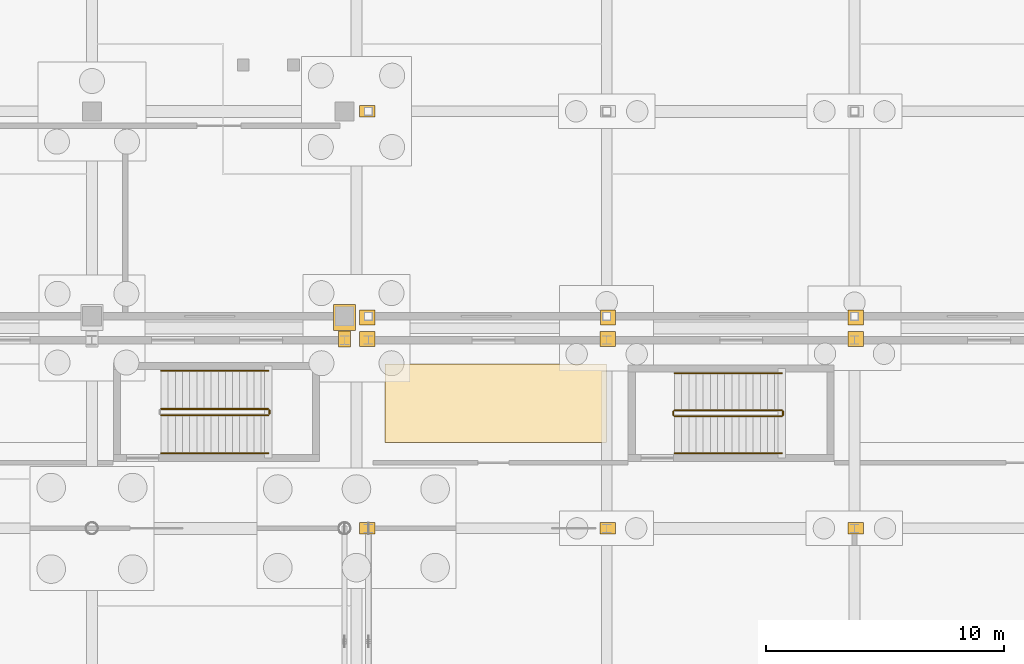
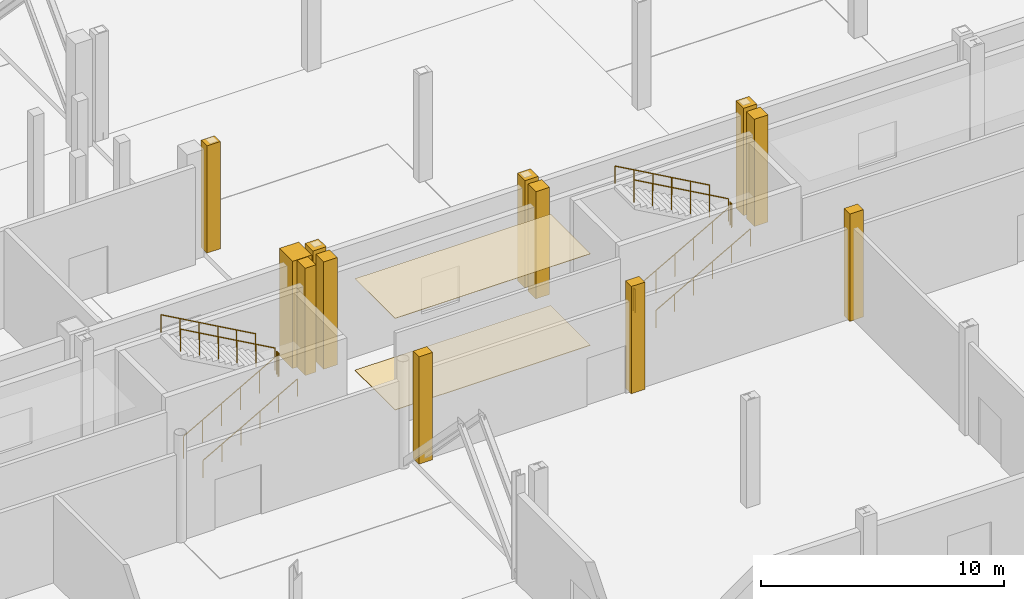
# One storey, part 81 of 83: 14 coverings, 11 railings.
"""IFC4 building model written with IfcOpenShell, lengths in metres."""

from ifc_helpers import new_model, si_unit, direction, frame, origin, origin_2d, place, context, subcontext, project, spatial, polyline, rectangle, circle, outline, extrude, material, layer, layer_set, type_object, element, save


model = new_model("IFC4")

# Units and contexts
model_context = context("Model", 3, precision=1e-05, world=origin(), true_north=direction((0.0, 1.0)))
body_context = subcontext(model_context, "Body", "Model", "MODEL_VIEW")
ifc_project = project(units=[si_unit("LENGTHUNIT", "METRE"), si_unit("AREAUNIT", "SQUARE_METRE"), si_unit("VOLUMEUNIT", "CUBIC_METRE"), si_unit("PLANEANGLEUNIT", "RADIAN"), si_unit("MASSUNIT", "GRAM", prefix="KILO")], contexts=[model_context])

# Site, building, storey
site_placement = place(None, origin())
site = spatial("IfcSite", under=ifc_project, at=site_placement, CompositionType="ELEMENT")
building_placement = place(site_placement, origin())
building = spatial("IfcBuilding", under=site, at=building_placement, Name="Caurita Quay Ferry Terminal", CompositionType="ELEMENT")
storey_placement = place(building_placement, origin())
storey = spatial("IfcBuildingStorey", under=building, at=storey_placement, Name="L00", CompositionType="ELEMENT", Elevation=0.0)

# Coverings
ifc_material_1 = material(Name="Acoustic mineral fibre tile", Category="finish")
ifc_layer_1 = layer(ifc_material_1, 0.02001953125, Name="Acoustic mineral-fibre suspended ceiling 20 mm")
ifc_layer_set_1 = layer_set([ifc_layer_1], Name="Acoustic mineral fibre tile")
covering_type_1 = type_object("IfcCoveringType", Name="COV-CEIL-020", PredefinedType="CEILING", material=ifc_layer_set_1)
covering_1_placement = place(storey_placement, frame((0.0, 0.0, 4.6083984375)))
element("IfcCovering", 1, at=covering_1_placement, inside=storey, type_object=covering_type_1, Name="Lifejacket and Mooring Gear Store Acoustic Ceiling", PredefinedType="CEILING", context=body_context, shape_type="SweptSolid", body=[
    extrude(outline(polyline([(133.5, 66.300048828125), (142.800048828125, 66.300048828125), (142.800048828125, 69.60009765625), (133.5, 69.60009765625), (133.5, 66.300048828125)])), origin(), (0.0, 0.0, 1.0), 0.02001953125),
])
ifc_material_2 = material(Name="Polished marine terrazzo tile", Category="finish")
ifc_layer_2 = layer(ifc_material_2, 0.02490234375, Name="Polished marine terrazzo floor finish 25 mm")
ifc_layer_set_2 = layer_set([ifc_layer_2], Name="Polished marine terrazzo tile")
covering_type_2 = type_object("IfcCoveringType", Name="COV-FLR-025", PredefinedType="FLOORING", material=ifc_layer_set_2)
covering_2_placement = place(storey_placement, origin())
element("IfcCovering", 2, at=covering_2_placement, inside=storey, type_object=covering_type_2, Name="Lifejacket and Mooring Gear Store Terrazzo Flooring", PredefinedType="FLOORING", context=body_context, shape_type="SweptSolid", body=[
    extrude(outline(polyline([(133.5, 66.300048828125), (142.800048828125, 66.300048828125), (142.800048828125, 69.60009765625), (133.5, 69.60009765625), (133.5, 66.300048828125)])), origin(), (0.0, 0.0, 1.0), 0.02490234375),
])
ifc_material_3 = material(Name="Warm-white lime stucco masonry", Category="masonry")
ifc_layer_3 = layer(ifc_material_3, 0.179931640625, Name="Classical engaged lime-stucco facade pilaster cladding 180 mm")
ifc_layer_set_3 = layer_set([ifc_layer_3], Name="Warm-white lime stucco masonry")
covering_type_3 = type_object("IfcCoveringType", Name="COV-PIL-CLD", PredefinedType="CLADDING", material=ifc_layer_set_3)
covering_3_placement = place(storey_placement, frame((131.800048828125, 70.64990234375, 0.0), z_axis=(0.0, 0.0, 1.0), x_axis=(1.0, 0.0, 0.0)))
element("IfcCovering", 3, at=covering_3_placement, inside=storey, type_object=covering_type_3, Name="L00 Classical Engaged Pilaster 0114", PredefinedType="CLADDING", context=body_context, shape_type="SweptSolid", body=[
    extrude(rectangle(XDim=0.518798828125, YDim=0.673583984375, at=origin_2d()), origin(), (0.0, 0.0, 1.0), 5.39990234375),
])
covering_4_placement = place(storey_placement, frame((132.75, 62.699951171875, 0.0), z_axis=(0.0, 0.0, 1.0), x_axis=(1.0, 0.0, 0.0)))
element("IfcCovering", 4, at=covering_4_placement, inside=storey, type_object=covering_type_3, Name="L00 Classical Engaged Pilaster 0123", PredefinedType="CLADDING", context=body_context, shape_type="SweptSolid", body=[
    extrude(rectangle(XDim=0.65087890625, YDim=0.483154296875, at=origin_2d()), origin(), (0.0, 0.0, 1.0), 5.39990234375),
])
covering_5_placement = place(storey_placement, frame((132.75, 70.64990234375, 0.0), z_axis=(0.0, 0.0, 1.0), x_axis=(1.0, 0.0, 0.0)))
element("IfcCovering", 5, at=covering_5_placement, inside=storey, type_object=covering_type_3, Name="L00 Classical Engaged Pilaster 0125", PredefinedType="CLADDING", context=body_context, shape_type="SweptSolid", body=[
    extrude(rectangle(XDim=0.65087890625, YDim=0.643310546875, at=origin_2d()), origin(), (0.0, 0.0, 1.0), 5.39990234375),
])
covering_6_placement = place(storey_placement, frame((142.85009765625, 62.699951171875, 0.0), z_axis=(0.0, 0.0, 1.0), x_axis=(1.0, 0.0, 0.0)))
element("IfcCovering", 6, at=covering_6_placement, inside=storey, type_object=covering_type_3, Name="L00 Classical Engaged Pilaster 0142", PredefinedType="CLADDING", context=body_context, shape_type="SweptSolid", body=[
    extrude(rectangle(XDim=0.65087890625, YDim=0.483154296875, at=origin_2d()), origin(), (0.0, 0.0, 1.0), 5.39990234375),
])
covering_7_placement = place(storey_placement, frame((142.85009765625, 70.64990234375, 0.0), z_axis=(0.0, 0.0, 1.0), x_axis=(1.0, 0.0, 0.0)))
element("IfcCovering", 7, at=covering_7_placement, inside=storey, type_object=covering_type_3, Name="L00 Classical Engaged Pilaster 0144", PredefinedType="CLADDING", context=body_context, shape_type="SweptSolid", body=[
    extrude(rectangle(XDim=0.65087890625, YDim=0.643310546875, at=origin_2d()), origin(), (0.0, 0.0, 1.0), 5.39990234375),
])
covering_8_placement = place(storey_placement, frame((153.25, 62.699951171875, 0.0), z_axis=(0.0, 0.0, 1.0), x_axis=(1.0, 0.0, 0.0)))
element("IfcCovering", 8, at=covering_8_placement, inside=storey, type_object=covering_type_3, Name="L00 Classical Engaged Pilaster 0161", PredefinedType="CLADDING", context=body_context, shape_type="SweptSolid", body=[
    extrude(rectangle(XDim=0.65087890625, YDim=0.483154296875, at=origin_2d()), origin(), (0.0, 0.0, 1.0), 5.39990234375),
])
covering_9_placement = place(storey_placement, frame((153.25, 70.64990234375, 0.0), z_axis=(0.0, 0.0, 1.0), x_axis=(1.0, 0.0, 0.0)))
element("IfcCovering", 9, at=covering_9_placement, inside=storey, type_object=covering_type_3, Name="L00 Classical Engaged Pilaster 0163", PredefinedType="CLADDING", context=body_context, shape_type="SweptSolid", body=[
    extrude(rectangle(XDim=0.65087890625, YDim=0.643310546875, at=origin_2d()), origin(), (0.0, 0.0, 1.0), 5.39990234375),
])
covering_10_placement = place(storey_placement, frame((131.800048828125, 71.550048828125, 0.0), z_axis=(0.0, 0.0, 1.0), x_axis=(1.0, 0.0, 0.0)))
element("IfcCovering", 10, at=covering_10_placement, inside=storey, type_object=covering_type_3, Name="L00 Classical Engaged Pilaster 0228", PredefinedType="CLADDING", context=body_context, shape_type="SweptSolid", body=[
    extrude(rectangle(XDim=0.919921875, YDim=1.080078125, at=origin_2d()), origin(), (0.0, 0.0, 1.0), 5.39990234375),
])
covering_11_placement = place(storey_placement, frame((132.75, 71.550048828125, 0.0), z_axis=(0.0, 0.0, 1.0), x_axis=(1.0, 0.0, 0.0)))
element("IfcCovering", 11, at=covering_11_placement, inside=storey, type_object=covering_type_3, Name="L00 Classical Engaged Pilaster 0236", PredefinedType="CLADDING", context=body_context, shape_type="SweptSolid", body=[
    extrude(rectangle(XDim=0.635986328125, YDim=0.635986328125, at=origin_2d()), origin(), (0.0, 0.0, 1.0), 5.39990234375),
])
covering_12_placement = place(storey_placement, frame((132.75, 80.199951171875, 0.0), z_axis=(0.0, 0.0, 1.0), x_axis=(1.0, 0.0, 0.0)))
element("IfcCovering", 12, at=covering_12_placement, inside=storey, type_object=covering_type_3, Name="L00 Classical Engaged Pilaster 0237", PredefinedType="CLADDING", context=body_context, shape_type="SweptSolid", body=[
    extrude(rectangle(XDim=0.635986328125, YDim=0.47607421875, at=origin_2d()), origin(), (0.0, 0.0, 1.0), 5.39990234375),
])
for number, where, z_axis, x_axis, name in (
    (13, (142.85009765625, 71.550048828125, 0.0), (0.0, 0.0, 1.0), (1.0, 0.0, 0.0), "L00 Classical Engaged Pilaster 0242"),
    (14, (153.25, 71.550048828125, 0.0), (0.0, 0.0, 1.0), (1.0, 0.0, 0.0), "L00 Classical Engaged Pilaster 0248"),
):
    element("IfcCovering", number, at=place(storey_placement, frame(where, z_axis=z_axis, x_axis=x_axis)), inside=storey, type_object=covering_type_3, Name=name, PredefinedType="CLADDING", context=body_context, shape_type="SweptSolid", body=[
        extrude(rectangle(XDim=0.635986328125, YDim=0.635986328125, at=origin_2d()), origin(), (0.0, 0.0, 1.0), 5.39990234375),
    ])

# Railings
ifc_material_4 = material(Name="Bronze architectural metalwork", Category="metal")
railing_type_1 = type_object("IfcRailingType", Name="RL-HND-090", PredefinedType="HANDRAIL", material=ifc_material_4)
railing_1_placement = place(storey_placement, frame((124.10009765625, 65.85009765625, 0.168701171875)))
element("IfcRailing", 15, at=railing_1_placement, inside=storey, type_object=railing_type_1, Name="L00 ST-09 stair handrail 1", PredefinedType="HANDRAIL", context=body_context, shape_type="SweptSolid", body=[
    extrude(circle(Radius=0.02392578125, at=origin_2d()), frame((0.0, 0.0, 0.8759765625), z_axis=(0.871575537125, 0.0, 0.490261239633), x_axis=(0.0, 1.0, 0.0)), (0.0, 0.0, 1.0), 5.1630859375),
    extrude(circle(Radius=0.02099609375, at=origin_2d()), origin(), (0.0, 0.0, 1.0), 0.851806640625),
    extrude(circle(Radius=0.02099609375, at=origin_2d()), frame((0.89990234375, 0.0, 0.50634765625)), (0.0, 0.0, 1.0), 0.851806640625),
    extrude(circle(Radius=0.02099609375, at=origin_2d()), frame((1.800048828125, 0.0, 1.012451171875)), (0.0, 0.0, 1.0), 0.851806640625),
    extrude(circle(Radius=0.02099609375, at=origin_2d()), frame((2.699951171875, 0.0, 1.518798828125)), (0.0, 0.0, 1.0), 0.851806640625),
    extrude(circle(Radius=0.02099609375, at=origin_2d()), frame((3.60009765625, 0.0, 2.02490234375)), (0.0, 0.0, 1.0), 0.851806640625),
    extrude(circle(Radius=0.02099609375, at=origin_2d()), frame((4.5, 0.0, 2.53125)), (0.0, 0.0, 1.0), 0.851806640625),
])
railing_2_placement = place(storey_placement, frame((128.60009765625, 69.31005859375, 2.86865234375)))
element("IfcRailing", 16, at=railing_2_placement, inside=storey, type_object=railing_type_1, Name="L00 ST-09 stair handrail 2", PredefinedType="HANDRAIL", context=body_context, shape_type="SweptSolid", body=[
    extrude(circle(Radius=0.02392578125, at=origin_2d()), frame((0.0, 0.0, 0.8759765625), z_axis=(-0.871575537125, 0.0, 0.490261239633), x_axis=(0.0, -1.0, 0.0)), (0.0, 0.0, 1.0), 5.1630859375),
    extrude(circle(Radius=0.02099609375, at=origin_2d()), origin(), (0.0, 0.0, 1.0), 0.851806640625),
    extrude(circle(Radius=0.02099609375, at=origin_2d()), frame((-0.89990234375, 0.0, 0.50634765625)), (0.0, 0.0, 1.0), 0.851806640625),
    extrude(circle(Radius=0.02099609375, at=origin_2d()), frame((-1.800048828125, 0.0, 1.012451171875)), (0.0, 0.0, 1.0), 0.851806640625),
    extrude(circle(Radius=0.02099609375, at=origin_2d()), frame((-2.699951171875, 0.0, 1.518798828125)), (0.0, 0.0, 1.0), 0.851806640625),
    extrude(circle(Radius=0.02099609375, at=origin_2d()), frame((-3.60009765625, 0.0, 2.02490234375)), (0.0, 0.0, 1.0), 0.851806640625),
    extrude(circle(Radius=0.02099609375, at=origin_2d()), frame((-4.5, 0.0, 2.53125)), (0.0, 0.0, 1.0), 0.851806640625),
])
railing_3_placement = place(storey_placement, frame((145.64990234375, 65.85009765625, 0.168701171875)))
element("IfcRailing", 17, at=railing_3_placement, inside=storey, type_object=railing_type_1, Name="L00 ST-10 stair handrail 1", PredefinedType="HANDRAIL", context=body_context, shape_type="SweptSolid", body=[
    extrude(circle(Radius=0.02392578125, at=origin_2d()), frame((0.0, 0.0, 0.8759765625), z_axis=(0.871575537125, 0.0, 0.490261239633), x_axis=(0.0, 1.0, 0.0)), (0.0, 0.0, 1.0), 5.1630859375),
    extrude(circle(Radius=0.02099609375, at=origin_2d()), origin(), (0.0, 0.0, 1.0), 0.851806640625),
    extrude(circle(Radius=0.02099609375, at=origin_2d()), frame((0.89990234375, 0.0, 0.50634765625)), (0.0, 0.0, 1.0), 0.851806640625),
    extrude(circle(Radius=0.02099609375, at=origin_2d()), frame((1.800048828125, 0.0, 1.012451171875)), (0.0, 0.0, 1.0), 0.851806640625),
    extrude(circle(Radius=0.02099609375, at=origin_2d()), frame((2.699951171875, 0.0, 1.518798828125)), (0.0, 0.0, 1.0), 0.851806640625),
    extrude(circle(Radius=0.02099609375, at=origin_2d()), frame((3.60009765625, 0.0, 2.02490234375)), (0.0, 0.0, 1.0), 0.851806640625),
    extrude(circle(Radius=0.02099609375, at=origin_2d()), frame((4.5, 0.0, 2.53125)), (0.0, 0.0, 1.0), 0.851806640625),
])
railing_4_placement = place(storey_placement, frame((150.14990234375, 69.2099609375, 2.86865234375)))
element("IfcRailing", 18, at=railing_4_placement, inside=storey, type_object=railing_type_1, Name="L00 ST-10 stair handrail 2", PredefinedType="HANDRAIL", context=body_context, shape_type="SweptSolid", body=[
    extrude(circle(Radius=0.02392578125, at=origin_2d()), frame((0.0, 0.0, 0.8759765625), z_axis=(-0.871575537125, 0.0, 0.490261239633), x_axis=(0.0, -1.0, 0.0)), (0.0, 0.0, 1.0), 5.1630859375),
    extrude(circle(Radius=0.02099609375, at=origin_2d()), origin(), (0.0, 0.0, 1.0), 0.851806640625),
    extrude(circle(Radius=0.02099609375, at=origin_2d()), frame((-0.89990234375, 0.0, 0.50634765625)), (0.0, 0.0, 1.0), 0.851806640625),
    extrude(circle(Radius=0.02099609375, at=origin_2d()), frame((-1.800048828125, 0.0, 1.012451171875)), (0.0, 0.0, 1.0), 0.851806640625),
    extrude(circle(Radius=0.02099609375, at=origin_2d()), frame((-2.699951171875, 0.0, 1.518798828125)), (0.0, 0.0, 1.0), 0.851806640625),
    extrude(circle(Radius=0.02099609375, at=origin_2d()), frame((-3.60009765625, 0.0, 2.02490234375)), (0.0, 0.0, 1.0), 0.851806640625),
    extrude(circle(Radius=0.02099609375, at=origin_2d()), frame((-4.5, 0.0, 2.53125)), (0.0, 0.0, 1.0), 0.851806640625),
])
railing_type_2 = type_object("IfcRailingType", Name="RL-REJA-115", PredefinedType="BALUSTRADE", material=ifc_material_4)
railing_5_placement = place(storey_placement, frame((124.10009765625, 67.449951171875, 0.168701171875)))
element("IfcRailing", 19, at=railing_5_placement, inside=storey, type_object=railing_type_2, Name="L00 ST-09 stair guard 1", PredefinedType="BALUSTRADE", context=body_context, shape_type="SweptSolid", body=[
    extrude(circle(Radius=0.02392578125, at=origin_2d()), frame((0.0, 0.0, 1.1259765625), z_axis=(0.871575537125, 0.0, 0.490261239633), x_axis=(0.0, 1.0, 0.0)), (0.0, 0.0, 1.0), 5.1630859375),
    extrude(circle(Radius=0.02099609375, at=origin_2d()), origin(), (0.0, 0.0, 1.0), 1.101806640625),
    extrude(circle(Radius=0.02099609375, at=origin_2d()), frame((0.89990234375, 0.0, 0.50634765625)), (0.0, 0.0, 1.0), 1.101806640625),
    extrude(circle(Radius=0.02099609375, at=origin_2d()), frame((1.800048828125, 0.0, 1.012451171875)), (0.0, 0.0, 1.0), 1.101806640625),
    extrude(circle(Radius=0.02099609375, at=origin_2d()), frame((2.699951171875, 0.0, 1.518798828125)), (0.0, 0.0, 1.0), 1.101806640625),
    extrude(circle(Radius=0.02099609375, at=origin_2d()), frame((3.60009765625, 0.0, 2.02490234375)), (0.0, 0.0, 1.0), 1.101806640625),
    extrude(circle(Radius=0.02099609375, at=origin_2d()), frame((4.5, 0.0, 2.53125)), (0.0, 0.0, 1.0), 1.101806640625),
])
railing_6_placement = place(storey_placement, frame((128.64990234375, 67.5, 2.699951171875)))
element("IfcRailing", 20, at=railing_6_placement, inside=storey, type_object=railing_type_2, Name="L00 ST-09 stair guard 2", PredefinedType="BALUSTRADE", context=body_context, shape_type="SweptSolid", body=[
    extrude(circle(Radius=0.02392578125, at=origin_2d()), frame((0.0, 0.0, 1.1259765625), z_axis=(0.0, 1.0, 0.0), x_axis=(-1.0, 0.0, 0.0)), (0.0, 0.0, 1.0), 0.159912109375),
    extrude(circle(Radius=0.02099609375, at=origin_2d()), origin(), (0.0, 0.0, 1.0), 1.101806640625),
    extrude(circle(Radius=0.02099609375, at=origin_2d()), frame((0.0, 0.159912109375, 0.0)), (0.0, 0.0, 1.0), 1.101806640625),
])
railing_7_placement = place(storey_placement, frame((128.60009765625, 67.7099609375, 2.86865234375)))
element("IfcRailing", 21, at=railing_7_placement, inside=storey, type_object=railing_type_2, Name="L00 ST-09 stair guard 3", PredefinedType="BALUSTRADE", context=body_context, shape_type="SweptSolid", body=[
    extrude(circle(Radius=0.02392578125, at=origin_2d()), frame((0.0, 0.0, 1.1259765625), z_axis=(-0.871575537125, 0.0, 0.490261239633), x_axis=(0.0, -1.0, 0.0)), (0.0, 0.0, 1.0), 5.1630859375),
    extrude(circle(Radius=0.02099609375, at=origin_2d()), origin(), (0.0, 0.0, 1.0), 1.101806640625),
    extrude(circle(Radius=0.02099609375, at=origin_2d()), frame((-0.89990234375, 0.0, 0.50634765625)), (0.0, 0.0, 1.0), 1.101806640625),
    extrude(circle(Radius=0.02099609375, at=origin_2d()), frame((-1.800048828125, 0.0, 1.012451171875)), (0.0, 0.0, 1.0), 1.101806640625),
    extrude(circle(Radius=0.02099609375, at=origin_2d()), frame((-2.699951171875, 0.0, 1.518798828125)), (0.0, 0.0, 1.0), 1.101806640625),
    extrude(circle(Radius=0.02099609375, at=origin_2d()), frame((-3.60009765625, 0.0, 2.02490234375)), (0.0, 0.0, 1.0), 1.101806640625),
    extrude(circle(Radius=0.02099609375, at=origin_2d()), frame((-4.5, 0.0, 2.53125)), (0.0, 0.0, 1.0), 1.101806640625),
])
railing_8_placement = place(storey_placement, frame((145.64990234375, 67.39990234375, 0.168701171875)))
element("IfcRailing", 22, at=railing_8_placement, inside=storey, type_object=railing_type_2, Name="L00 ST-10 stair guard 1", PredefinedType="BALUSTRADE", context=body_context, shape_type="SweptSolid", body=[
    extrude(circle(Radius=0.02392578125, at=origin_2d()), frame((0.0, 0.0, 1.1259765625), z_axis=(0.871575537125, 0.0, 0.490261239633), x_axis=(0.0, 1.0, 0.0)), (0.0, 0.0, 1.0), 5.1630859375),
    extrude(circle(Radius=0.02099609375, at=origin_2d()), origin(), (0.0, 0.0, 1.0), 1.101806640625),
    extrude(circle(Radius=0.02099609375, at=origin_2d()), frame((0.89990234375, 0.0, 0.50634765625)), (0.0, 0.0, 1.0), 1.101806640625),
    extrude(circle(Radius=0.02099609375, at=origin_2d()), frame((1.800048828125, 0.0, 1.012451171875)), (0.0, 0.0, 1.0), 1.101806640625),
    extrude(circle(Radius=0.02099609375, at=origin_2d()), frame((2.699951171875, 0.0, 1.518798828125)), (0.0, 0.0, 1.0), 1.101806640625),
    extrude(circle(Radius=0.02099609375, at=origin_2d()), frame((3.60009765625, 0.0, 2.02490234375)), (0.0, 0.0, 1.0), 1.101806640625),
    extrude(circle(Radius=0.02099609375, at=origin_2d()), frame((4.5, 0.0, 2.53125)), (0.0, 0.0, 1.0), 1.101806640625),
])
railing_9_placement = place(storey_placement, frame((150.199951171875, 67.449951171875, 2.699951171875)))
element("IfcRailing", 23, at=railing_9_placement, inside=storey, type_object=railing_type_2, Name="L00 ST-10 stair guard 2", PredefinedType="BALUSTRADE", context=body_context, shape_type="SweptSolid", body=[
    extrude(circle(Radius=0.02392578125, at=origin_2d()), frame((0.0, 0.0, 1.1259765625), z_axis=(0.0, 1.0, 0.0), x_axis=(-1.0, 0.0, 0.0)), (0.0, 0.0, 1.0), 0.16015625),
    extrude(circle(Radius=0.02099609375, at=origin_2d()), origin(), (0.0, 0.0, 1.0), 1.101806640625),
    extrude(circle(Radius=0.02099609375, at=origin_2d()), frame((0.0, 0.16015625, 0.0)), (0.0, 0.0, 1.0), 1.101806640625),
])
railing_10_placement = place(storey_placement, frame((150.14990234375, 67.659912109375, 2.86865234375)))
element("IfcRailing", 24, at=railing_10_placement, inside=storey, type_object=railing_type_2, Name="L00 ST-10 stair guard 3", PredefinedType="BALUSTRADE", context=body_context, shape_type="SweptSolid", body=[
    extrude(circle(Radius=0.02392578125, at=origin_2d()), frame((0.0, 0.0, 1.1259765625), z_axis=(-0.871575537125, 0.0, 0.490261239633), x_axis=(0.0, -1.0, 0.0)), (0.0, 0.0, 1.0), 5.1630859375),
    extrude(circle(Radius=0.02099609375, at=origin_2d()), origin(), (0.0, 0.0, 1.0), 1.101806640625),
    extrude(circle(Radius=0.02099609375, at=origin_2d()), frame((-0.89990234375, 0.0, 0.50634765625)), (0.0, 0.0, 1.0), 1.101806640625),
    extrude(circle(Radius=0.02099609375, at=origin_2d()), frame((-1.800048828125, 0.0, 1.012451171875)), (0.0, 0.0, 1.0), 1.101806640625),
    extrude(circle(Radius=0.02099609375, at=origin_2d()), frame((-2.699951171875, 0.0, 1.518798828125)), (0.0, 0.0, 1.0), 1.101806640625),
    extrude(circle(Radius=0.02099609375, at=origin_2d()), frame((-3.60009765625, 0.0, 2.02490234375)), (0.0, 0.0, 1.0), 1.101806640625),
    extrude(circle(Radius=0.02099609375, at=origin_2d()), frame((-4.5, 0.0, 2.53125)), (0.0, 0.0, 1.0), 1.101806640625),
])
railing_11_placement = place(storey_placement, frame((145.60009765625, 67.449951171875, 0.0)))
element("IfcRailing", 25, at=railing_11_placement, inside=storey, type_object=railing_type_2, Name="L00 ST-10 stair guard 4", PredefinedType="BALUSTRADE", context=body_context, shape_type="SweptSolid", body=[
    extrude(circle(Radius=0.02392578125, at=origin_2d()), frame((0.0, 0.0, 1.1259765625), z_axis=(0.0, 1.0, 0.0), x_axis=(-1.0, 0.0, 0.0)), (0.0, 0.0, 1.0), 0.16015625),
    extrude(circle(Radius=0.02099609375, at=origin_2d()), origin(), (0.0, 0.0, 1.0), 1.101806640625),
    extrude(circle(Radius=0.02099609375, at=origin_2d()), frame((0.0, 0.16015625, 0.0)), (0.0, 0.0, 1.0), 1.101806640625),
])

save(model, "model.ifc")
